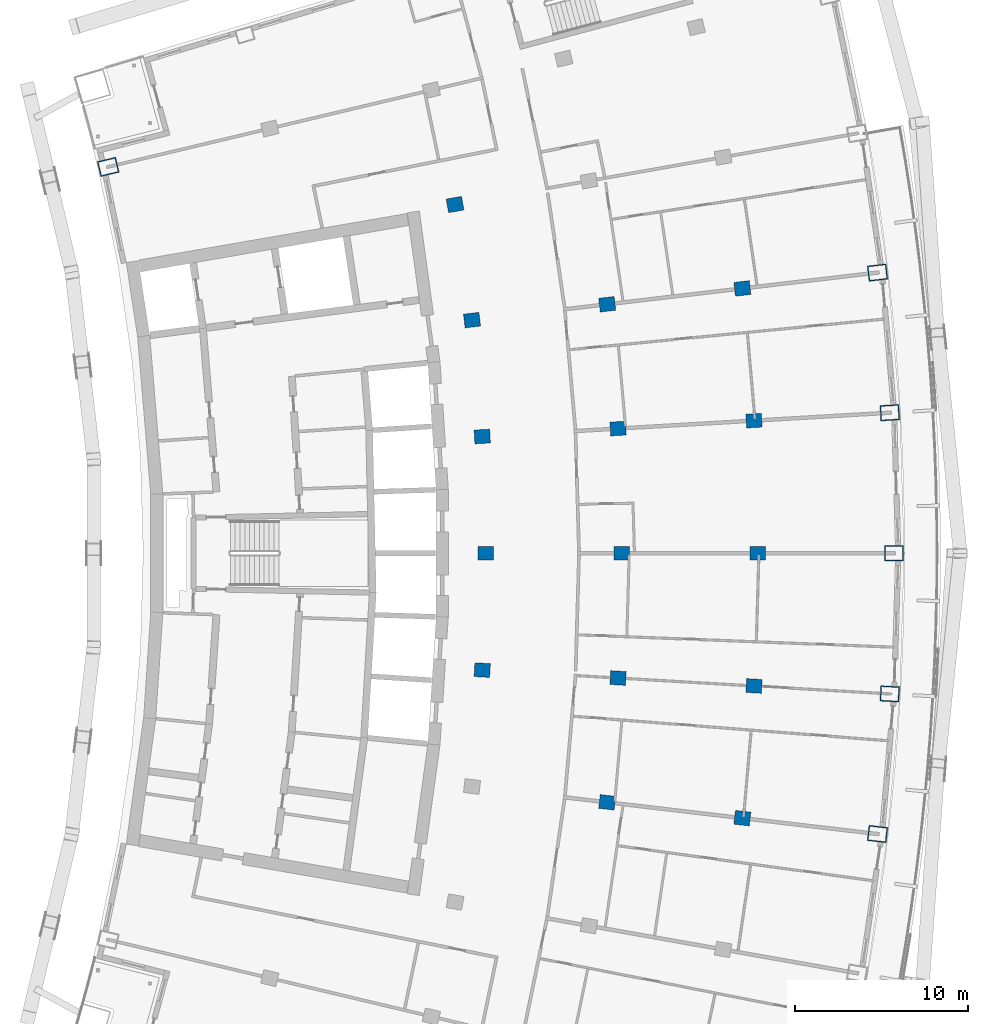
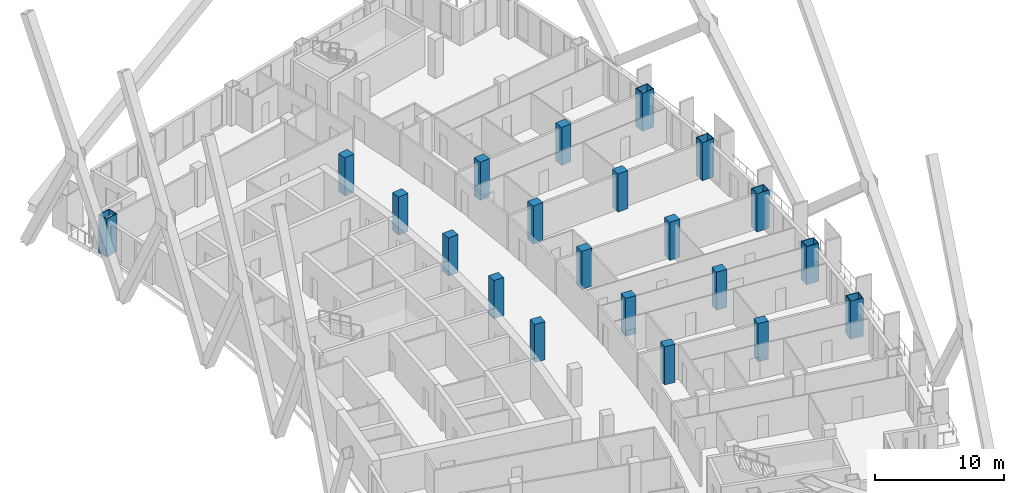
# One storey, part 6 of 22: 21 columns.
"""IFC4 building model written with IfcOpenShell, lengths in metres."""

from ifc_helpers import new_model, si_unit, direction, frame, origin, origin_2d, place, context, subcontext, project, spatial, rectangle, hollow_rectangle, extrude, material, material_profile, profile_set, type_object, element, save


model = new_model("IFC4")

# Units and contexts
model_context = context("Model", 3, precision=1e-05, world=origin(), true_north=direction((0.0, 1.0)))
body_context = subcontext(model_context, "Body", "Model", "MODEL_VIEW")
ifc_project = project(units=[si_unit("LENGTHUNIT", "METRE"), si_unit("AREAUNIT", "SQUARE_METRE"), si_unit("VOLUMEUNIT", "CUBIC_METRE"), si_unit("PLANEANGLEUNIT", "RADIAN"), si_unit("MASSUNIT", "GRAM", prefix="KILO")], contexts=[model_context])

# Site, building, storey
site_placement = place(None, origin())
site = spatial("IfcSite", under=ifc_project, at=site_placement, CompositionType="ELEMENT")
building_placement = place(site_placement, origin())
building = spatial("IfcBuilding", under=site, at=building_placement, Name="Alderwake Tower", CompositionType="ELEMENT")
storey_placement = place(building_placement, frame((0.0, 0.0, 160.39990234375)))
storey = spatial("IfcBuildingStorey", under=building, at=storey_placement, Name="L39", CompositionType="ELEMENT", Elevation=160.39990234375)

# Columns
ifc_material_1 = material(Name="Concrete C70/85", Category="concrete")
ifc_material_profile_1 = material_profile(ifc_material_1, rectangle(XDim=0.800048828125, YDim=0.89990234375, at=origin_2d()), Name="RC 900X800")
ifc_profile_set_1 = profile_set([ifc_material_profile_1], Name="Concrete C70/85")
column_type_1 = type_object("IfcColumnType", Name="Interior column Z3", PredefinedType="COLUMN", material=ifc_profile_set_1)
for number, where, z_axis, x_axis, name in (
    (1, (42.825927734375, 46.60498046875, 0.0), (0.0, 0.0, 1.0), (0.116402054316, 0.993202175668, 0.0), "Column R05-C3"),
    (2, (50.63916015625, 45.689208984375, 0.0), (0.0, 0.0, 1.0), (0.116402054316, 0.993202175668, 0.0), "Column R05-C4"),
    (3, (35.60302734375, 54.248779296875, 0.0), (0.0, 0.0, 1.0), (0.058301061284, 0.998299046505, 0.0), "Column R06-C2"),
    (4, (43.456298828125, 53.790283203125, 0.0), (0.0, 0.0, 1.0), (0.058301061284, 0.998299046505, 0.0), "Column R06-C3"),
    (5, (51.3095703125, 53.33154296875, 0.0), (0.0, 0.0, 1.0), (0.058299318924, 0.998299148258, 0.0), "Column R06-C4"),
    (6, (35.800048828125, 61.0, 0.0), (0.0, 0.0, 1.0), (0.0, 1.0, 0.0), "Column R07-C2"),
    (7, (43.666748046875, 61.0, 0.0), (0.0, 0.0, 1.0), (0.0, 1.0, 0.0), "Column R07-C3"),
    (8, (51.533203125, 61.0, 0.0), (0.0, 0.0, 1.0), (0.0, 1.0, 0.0), "Column R07-C4"),
    (9, (35.60302734375, 67.751220703125, 0.0), (0.0, 0.0, 1.0), (-0.058301061284, 0.998299046505, 0.0), "Column R08-C2"),
    (10, (43.456298828125, 68.209716796875, 0.0), (0.0, 0.0, 1.0), (-0.058301061284, 0.998299046505, 0.0), "Column R08-C3"),
    (11, (51.3095703125, 68.66845703125, 0.0), (0.0, 0.0, 1.0), (-0.058299318924, 0.998299148258, 0.0), "Column R08-C4"),
    (12, (35.0126953125, 74.4794921875, 0.0), (0.0, 0.0, 1.0), (-0.116402054316, 0.993202175668, 0.0), "Column R09-C2"),
    (13, (42.825927734375, 75.39501953125, 0.0), (0.0, 0.0, 1.0), (-0.116402054316, 0.993202175668, 0.0), "Column R09-C3"),
    (14, (50.63916015625, 76.310791015625, 0.0), (0.0, 0.0, 1.0), (-0.116402054316, 0.993202175668, 0.0), "Column R09-C4"),
    (15, (34.03125, 81.16162109375, 0.0), (0.0, 0.0, 1.0), (-0.174108800747, 0.984726421654, 0.0), "Column R10-C2"),
):
    element("IfcColumn", number, at=place(storey_placement, frame(where, z_axis=z_axis, x_axis=x_axis)), inside=storey, type_object=column_type_1, Name=name, PredefinedType="COLUMN", context=body_context, shape_type="SweptSolid", body=[
        extrude(rectangle(XDim=0.800048828125, YDim=0.89990234375, at=origin_2d()), origin(), (0.0, 0.0, 1.0), 3.60009765625),
    ])
ifc_material_2 = material(Name="Steel ASTM A572 Grade 50 concrete filled C70/85", Category="concrete")
ifc_material_profile_2 = material_profile(ifc_material_2, hollow_rectangle(XDim=0.89990234375, YDim=1.10009765625, WallThickness=0.06005859375, at=origin_2d()), Name="BOX 1100X900X60")
ifc_profile_set_2 = profile_set([ifc_material_profile_2], Name="Steel ASTM A572 Grade 50 concrete filled C70/85")
column_type_2 = type_object("IfcColumnType", Name="Perimeter column Z3", PredefinedType="COLUMN", material=ifc_profile_set_2)
for number, where, z_axis, x_axis, name in (
    (16, (58.452392578125, 44.7734375, 0.0), (0.0, 0.0, 1.0), (0.116402054316, 0.993202175668, 0.0), "Column R05-C5"),
    (17, (59.162841796875, 52.872802734375, 0.0), (0.0, 0.0, 1.0), (0.058301061284, 0.998299046505, 0.0), "Column R06-C5"),
    (18, (59.39990234375, 61.0, 0.0), (0.0, 0.0, 1.0), (0.0, 1.0, 0.0), "Column R07-C5"),
    (19, (59.162841796875, 69.127197265625, 0.0), (0.0, 0.0, 1.0), (-0.058301061284, 0.998299046505, 0.0), "Column R08-C5"),
    (20, (58.452392578125, 77.2265625, 0.0), (0.0, 0.0, 1.0), (-0.116402054316, 0.993202175668, 0.0), "Column R09-C5"),
    (21, (13.982177734375, 83.3359375, 0.0), (0.0, 0.0, 1.0), (-0.231221547198, 0.972901123502, 0.0), "Column R11-C0"),
):
    element("IfcColumn", number, at=place(storey_placement, frame(where, z_axis=z_axis, x_axis=x_axis)), inside=storey, type_object=column_type_2, Name=name, PredefinedType="COLUMN", context=body_context, shape_type="SweptSolid", body=[
        extrude(hollow_rectangle(XDim=0.89990234375, YDim=1.10009765625, WallThickness=0.06005859375, at=origin_2d()), origin(), (0.0, 0.0, 1.0), 3.60009765625),
    ])

save(model, "model.ifc")
